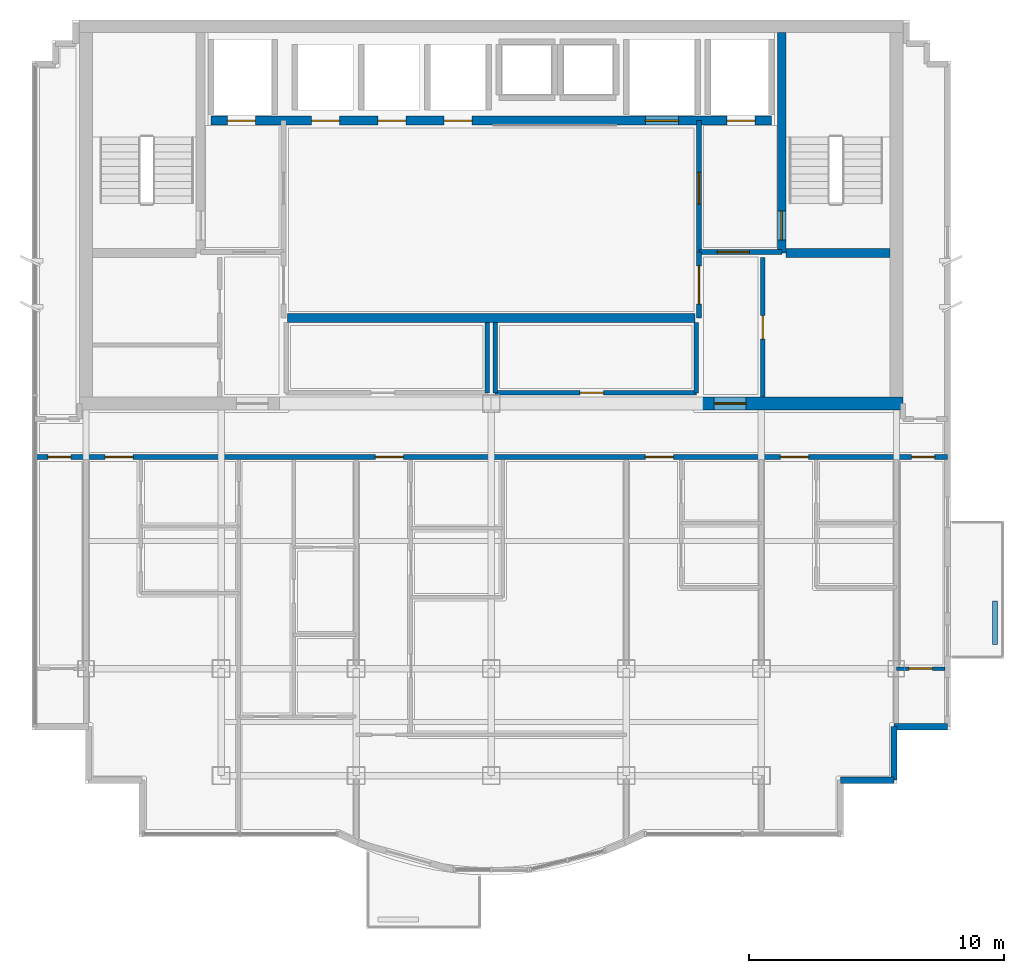
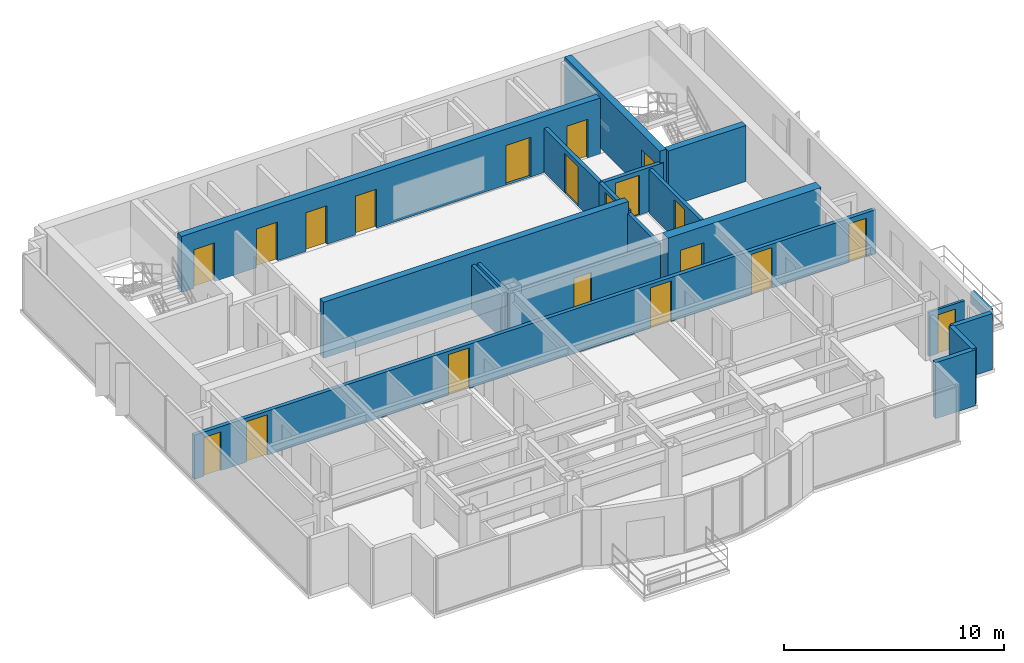
# One storey, part 6 of 9: 20 doors, 19 walls, 20 openings.
"""IFC4 building model written with IfcOpenShell, lengths in metres."""

from ifc_helpers import new_model, si_unit, direction, frame, frame_2d, origin, place, context, subcontext, project, spatial, rectangle, extrude, material, layer, layer_set, type_object, element, fill, save


model = new_model("IFC4")

# Units and contexts
model_context = context("Model", 3, precision=1e-05, world=origin(), true_north=direction((0.0, 1.0)))
body_context = subcontext(model_context, "Body", "Model", "MODEL_VIEW")
ifc_project = project(units=[si_unit("LENGTHUNIT", "METRE"), si_unit("AREAUNIT", "SQUARE_METRE"), si_unit("VOLUMEUNIT", "CUBIC_METRE"), si_unit("PLANEANGLEUNIT", "RADIAN"), si_unit("MASSUNIT", "GRAM", prefix="KILO")], contexts=[model_context])

# Site, building, storey
site_placement = place(None, origin())
site = spatial("IfcSite", under=ifc_project, at=site_placement, CompositionType="ELEMENT")
building_placement = place(site_placement, origin())
building = spatial("IfcBuilding", under=site, at=building_placement, Name="Qianlan Lanfeng Residences", CompositionType="ELEMENT")
storey_placement = place(building_placement, frame((0.0, 0.0, 242.89990234375)))
storey = spatial("IfcBuildingStorey", under=building, at=storey_placement, Name="L67", CompositionType="ELEMENT", Elevation=242.89990234375)

# Wall, opening, door
ifc_material_1 = material(Name="Concrete C49", Category="concrete")
ifc_layer_1 = layer(ifc_material_1, 0.35009765625)
ifc_layer_set_1 = layer_set([ifc_layer_1], Name="Concrete C49")
wall_type_1 = type_object("IfcWallType", Name="CW-RC-350", PredefinedType="SHEAR", material=ifc_layer_set_1)
wall_1_placement = place(storey_placement, frame((37.89990234375, 31.10009765625, 0.0), z_axis=(0.0, 0.0, 1.0), x_axis=(0.0, 1.0, 0.0)))
wall_1 = element("IfcWall", 1, at=wall_1_placement, inside=storey, type_object=wall_type_1, Name="L67 Core Shear Wall ST2W", PredefinedType="SHEAR", context=body_context, shape_type="SweptSolid", body=[
    extrude(rectangle(XDim=8.64990234375, YDim=0.35009765625, at=frame_2d((4.324951171875, 0.0))), origin(), (0.0, 0.0, 1.0), 3.110107421875),
])
opening_1_placement = place(wall_1_placement, frame((0.510009765625, 0.0, 0.0)))
opening_1 = element("IfcOpeningElement", 2, at=opening_1_placement, cuts=wall_1, Name="Opening L67-D08", PredefinedType="OPENING", context=body_context, shape_type="SweptSolid", body=[
    extrude(rectangle(XDim=1.14990234375, YDim=2.199951171875, at=frame_2d((0.574951171875, 1.10009765625))), frame((0.0, 0.18505859375, 0.0), z_axis=(0.0, -1.0, 0.0), x_axis=(1.0, 0.0, 0.0)), (0.0, 0.0, 1.0), 0.3701171875),
])
ifc_material_2 = material(Name="Painted Galvanised Steel Fire Door", Category="steel")
door_type_1 = type_object("IfcDoorType", Name="DT-ST1", OperationType="NOTDEFINED", PredefinedType="DOOR", material=ifc_material_2)
door_1_placement = place(opening_1_placement, origin())
door_1 = element("IfcDoor", 3, at=door_1_placement, inside=storey, type_object=door_type_1, Name="L67 Exit Stair ST-2 Door L67-D08 (DT-ST1)", OperationType="SINGLE_SWING_RIGHT", OverallHeight=2.199951171875, OverallWidth=1.14990234375, PredefinedType="DOOR", context=body_context, shape_type="SweptSolid", body=[
    extrude(rectangle(XDim=1.14990234375, YDim=2.199951171875, at=frame_2d((0.574951171875, 1.10009765625))), frame((0.0, 0.02490234375, 0.0), z_axis=(0.0, -1.0, 0.0), x_axis=(1.0, 0.0, 0.0)), (0.0, 0.0, 1.0), 0.050048828125),
])
fill(opening_1, door_1)

# Wall
wall_2_placement = place(storey_placement, frame((38.074951171875, 31.10009765625, 0.0), z_axis=(0.0, 0.0, 1.0), x_axis=(1.0, 0.0, 0.0)))
element("IfcWall", 4, at=wall_2_placement, inside=storey, type_object=wall_type_1, Name="L67 Core Shear Wall ST2S", PredefinedType="SHEAR", context=body_context, shape_type="SweptSolid", body=[
    extrude(rectangle(XDim=4.074951171875, YDim=0.35009765625, at=frame_2d((2.03759765625, 0.0))), origin(), (0.0, 0.0, 1.0), 3.110107421875),
])

# Wall, openings, doors
wall_3_placement = place(storey_placement, frame((15.5, 36.300048828125, 0.0), z_axis=(0.0, 0.0, 1.0), x_axis=(1.0, 0.0, 0.0)))
wall_3 = element("IfcWall", 5, at=wall_3_placement, inside=storey, type_object=wall_type_1, Name="L67 Core Shear Wall LBN", PredefinedType="SHEAR", context=body_context, shape_type="SweptSolid", body=[
    extrude(rectangle(XDim=22.0, YDim=0.35009765625, at=frame_2d((11.0, 0.0))), origin(), (0.0, 0.0, 1.0), 3.110107421875),
])
opening_2_placement = place(wall_3_placement, frame((0.64990234375, 0.0, 0.0)))
opening_2 = element("IfcOpeningElement", 6, at=opening_2_placement, cuts=wall_3, Name="Opening L67-LD-FFL-1", PredefinedType="OPENING", context=body_context, shape_type="SweptSolid", body=[
    extrude(rectangle(XDim=1.10009765625, YDim=2.14990234375, at=frame_2d((0.550048828125, 1.074951171875))), frame((0.0, 0.18505859375, 0.0), z_axis=(0.0, -1.0, 0.0), x_axis=(1.0, 0.0, 0.0)), (0.0, 0.0, 1.0), 0.3701171875),
])
opening_3_placement = place(wall_3_placement, frame((20.25, 0.0, 0.0)))
opening_3 = element("IfcOpeningElement", 7, at=opening_3_placement, cuts=wall_3, Name="Opening L67-LD-FFL-2", PredefinedType="OPENING", context=body_context, shape_type="SweptSolid", body=[
    extrude(rectangle(XDim=1.10009765625, YDim=2.14990234375, at=frame_2d((0.550048828125, 1.074951171875))), frame((0.0, 0.18505859375, 0.0), z_axis=(0.0, -1.0, 0.0), x_axis=(1.0, 0.0, 0.0)), (0.0, 0.0, 1.0), 0.3701171875),
])
opening_4_placement = place(wall_3_placement, frame((17.050048828125, 0.0, 0.0)))
opening_4 = element("IfcOpeningElement", 8, at=opening_4_placement, cuts=wall_3, Name="Opening L67-LD-SVL-1", PredefinedType="OPENING", context=body_context, shape_type="SweptSolid", body=[
    extrude(rectangle(XDim=1.300048828125, YDim=2.199951171875, at=frame_2d((0.64990234375, 1.10009765625))), frame((0.0, 0.18505859375, 0.0), z_axis=(0.0, -1.0, 0.0), x_axis=(1.0, 0.0, 0.0)), (0.0, 0.0, 1.0), 0.3701171875),
])
opening_5_placement = place(wall_3_placement, frame((3.949951171875, 0.0, 0.0)))
opening_5 = element("IfcOpeningElement", 9, at=opening_5_placement, cuts=wall_3, Name="Opening L67-LD-PL-H1", PredefinedType="OPENING", context=body_context, shape_type="SweptSolid", body=[
    extrude(rectangle(XDim=1.10009765625, YDim=2.14990234375, at=frame_2d((0.550048828125, 1.074951171875))), frame((0.0, 0.18505859375, 0.0), z_axis=(0.0, -1.0, 0.0), x_axis=(1.0, 0.0, 0.0)), (0.0, 0.0, 1.0), 0.3701171875),
])
opening_6_placement = place(wall_3_placement, frame((6.550048828125, 0.0, 0.0)))
opening_6 = element("IfcOpeningElement", 10, at=opening_6_placement, cuts=wall_3, Name="Opening L67-LD-PL-H2", PredefinedType="OPENING", context=body_context, shape_type="SweptSolid", body=[
    extrude(rectangle(XDim=1.10009765625, YDim=2.14990234375, at=frame_2d((0.550048828125, 1.074951171875))), frame((0.0, 0.18505859375, 0.0), z_axis=(0.0, -1.0, 0.0), x_axis=(1.0, 0.0, 0.0)), (0.0, 0.0, 1.0), 0.3701171875),
])
opening_7_placement = place(wall_3_placement, frame((9.14990234375, 0.0, 0.0)))
opening_7 = element("IfcOpeningElement", 11, at=opening_7_placement, cuts=wall_3, Name="Opening L67-LD-PL-H3", PredefinedType="OPENING", context=body_context, shape_type="SweptSolid", body=[
    extrude(rectangle(XDim=1.10009765625, YDim=2.14990234375, at=frame_2d((0.550048828125, 1.074951171875))), frame((0.0, 0.18505859375, 0.0), z_axis=(0.0, -1.0, 0.0), x_axis=(1.0, 0.0, 0.0)), (0.0, 0.0, 1.0), 0.3701171875),
])
ifc_material_3 = material(Name="Brushed Stainless Steel Sliding Lift Door", Category="steel")
door_type_2 = type_object("IfcDoorType", Name="LD-01", OperationType="NOTDEFINED", PredefinedType="DOOR", material=ifc_material_3)
door_2_placement = place(opening_2_placement, frame((1.10009765625, 0.0, 0.0), z_axis=(0.0, 0.0, 1.0), x_axis=(-1.0, 0.0, 0.0)))
door_2 = element("IfcDoor", 12, at=door_2_placement, inside=storey, type_object=door_type_2, Name="L67 Elevator FFL-1 Sliding Landing Door", OperationType="DOUBLE_DOOR_SLIDING", OverallHeight=2.14990234375, OverallWidth=1.10009765625, PredefinedType="DOOR", context=body_context, shape_type="SweptSolid", body=[
    extrude(rectangle(XDim=1.10009765625, YDim=2.14990234375, at=frame_2d((0.550048828125, 1.074951171875))), frame((0.0, 0.02490234375, 0.0), z_axis=(0.0, -1.0, 0.0), x_axis=(1.0, 0.0, 0.0)), (0.0, 0.0, 1.0), 0.050048828125),
])
fill(opening_2, door_2)
door_3_placement = place(opening_3_placement, frame((1.10009765625, 0.0, 0.0), z_axis=(0.0, 0.0, 1.0), x_axis=(-1.0, 0.0, 0.0)))
door_3 = element("IfcDoor", 13, at=door_3_placement, inside=storey, type_object=door_type_2, Name="L67 Elevator FFL-2 Sliding Landing Door", OperationType="DOUBLE_DOOR_SLIDING", OverallHeight=2.14990234375, OverallWidth=1.10009765625, PredefinedType="DOOR", context=body_context, shape_type="SweptSolid", body=[
    extrude(rectangle(XDim=1.10009765625, YDim=2.14990234375, at=frame_2d((0.550048828125, 1.074951171875))), frame((0.0, 0.02490234375, 0.0), z_axis=(0.0, -1.0, 0.0), x_axis=(1.0, 0.0, 0.0)), (0.0, 0.0, 1.0), 0.050048828125),
])
fill(opening_3, door_3)
door_4_placement = place(opening_5_placement, frame((1.10009765625, 0.0, 0.0), z_axis=(0.0, 0.0, 1.0), x_axis=(-1.0, 0.0, 0.0)))
door_4 = element("IfcDoor", 14, at=door_4_placement, inside=storey, type_object=door_type_2, Name="L67 Elevator PL-H1 Sliding Landing Door", OperationType="DOUBLE_DOOR_SLIDING", OverallHeight=2.14990234375, OverallWidth=1.10009765625, PredefinedType="DOOR", context=body_context, shape_type="SweptSolid", body=[
    extrude(rectangle(XDim=1.10009765625, YDim=2.14990234375, at=frame_2d((0.550048828125, 1.074951171875))), frame((0.0, 0.02490234375, 0.0), z_axis=(0.0, -1.0, 0.0), x_axis=(1.0, 0.0, 0.0)), (0.0, 0.0, 1.0), 0.050048828125),
])
fill(opening_5, door_4)
door_5_placement = place(opening_6_placement, frame((1.10009765625, 0.0, 0.0), z_axis=(0.0, 0.0, 1.0), x_axis=(-1.0, 0.0, 0.0)))
door_5 = element("IfcDoor", 15, at=door_5_placement, inside=storey, type_object=door_type_2, Name="L67 Elevator PL-H2 Sliding Landing Door", OperationType="DOUBLE_DOOR_SLIDING", OverallHeight=2.14990234375, OverallWidth=1.10009765625, PredefinedType="DOOR", context=body_context, shape_type="SweptSolid", body=[
    extrude(rectangle(XDim=1.10009765625, YDim=2.14990234375, at=frame_2d((0.550048828125, 1.074951171875))), frame((0.0, 0.02490234375, 0.0), z_axis=(0.0, -1.0, 0.0), x_axis=(1.0, 0.0, 0.0)), (0.0, 0.0, 1.0), 0.050048828125),
])
fill(opening_6, door_5)
door_6_placement = place(opening_7_placement, frame((1.10009765625, 0.0, 0.0), z_axis=(0.0, 0.0, 1.0), x_axis=(-1.0, 0.0, 0.0)))
door_6 = element("IfcDoor", 16, at=door_6_placement, inside=storey, type_object=door_type_2, Name="L67 Elevator PL-H3 Sliding Landing Door", OperationType="DOUBLE_DOOR_SLIDING", OverallHeight=2.14990234375, OverallWidth=1.10009765625, PredefinedType="DOOR", context=body_context, shape_type="SweptSolid", body=[
    extrude(rectangle(XDim=1.10009765625, YDim=2.14990234375, at=frame_2d((0.550048828125, 1.074951171875))), frame((0.0, 0.02490234375, 0.0), z_axis=(0.0, -1.0, 0.0), x_axis=(1.0, 0.0, 0.0)), (0.0, 0.0, 1.0), 0.050048828125),
])
fill(opening_7, door_6)
door_type_3 = type_object("IfcDoorType", Name="LD-02", OperationType="NOTDEFINED", PredefinedType="DOOR", material=ifc_material_3)
door_7_placement = place(opening_4_placement, frame((1.300048828125, 0.0, 0.0), z_axis=(0.0, 0.0, 1.0), x_axis=(-1.0, 0.0, 0.0)))
door_7 = element("IfcDoor", 17, at=door_7_placement, inside=storey, type_object=door_type_3, Name="L67 Elevator SVL-1 Sliding Landing Door", OperationType="DOUBLE_DOOR_SLIDING", OverallHeight=2.199951171875, OverallWidth=1.300048828125, PredefinedType="DOOR", context=body_context, shape_type="SweptSolid", body=[
    extrude(rectangle(XDim=1.300048828125, YDim=2.199951171875, at=frame_2d((0.64990234375, 1.10009765625))), frame((0.0, 0.02490234375, 0.0), z_axis=(0.0, -1.0, 0.0), x_axis=(1.0, 0.0, 0.0)), (0.0, 0.0, 1.0), 0.050048828125),
])
fill(opening_4, door_7)

# Wall
wall_4_placement = place(storey_placement, frame((18.5, 28.550048828125, 0.0), z_axis=(0.0, 0.0, 1.0), x_axis=(1.0, 0.0, 0.0)))
element("IfcWall", 18, at=wall_4_placement, inside=storey, type_object=wall_type_1, Name="L67 Core Shear Wall LBS", PredefinedType="SHEAR", context=body_context, shape_type="SweptSolid", body=[
    extrude(rectangle(XDim=16.0, YDim=0.35009765625, at=frame_2d((8.0, 0.0))), origin(), (0.0, 0.0, 1.0), 3.110107421875),
])

# Wall, opening, door
ifc_material_4 = material(Name="Concrete C70", Category="concrete")
ifc_layer_2 = layer(ifc_material_4, 0.5)
ifc_layer_set_2 = layer_set([ifc_layer_2], Name="Concrete C70")
wall_type_2 = type_object("IfcWallType", Name="CW-RC-500", PredefinedType="SHEAR", material=ifc_layer_set_2)
wall_5_placement = place(storey_placement, frame((34.60009765625, 25.199951171875, 0.0), z_axis=(0.0, 0.0, 1.0), x_axis=(1.0, 0.0, 0.0)))
wall_5 = element("IfcWall", 19, at=wall_5_placement, inside=storey, type_object=wall_type_2, Name="L67 Core Shear Wall SE", PredefinedType="SHEAR", context=body_context, shape_type="SweptSolid", body=[
    extrude(rectangle(XDim=8.0498046875, YDim=0.5, at=frame_2d((4.02490234375, 0.0))), origin(), (0.0, 0.0, 1.0), 3.110107421875),
])
opening_8_placement = place(wall_5_placement, frame((0.64990234375, 0.0, 0.0)))
opening_8 = element("IfcOpeningElement", 20, at=opening_8_placement, cuts=wall_5, Name="Opening L67-D02", PredefinedType="OPENING", context=body_context, shape_type="SweptSolid", body=[
    extrude(rectangle(XDim=1.25, YDim=2.199951171875, at=frame_2d((0.625, 1.10009765625))), frame((0.0, 0.260009765625, 0.0), z_axis=(0.0, -1.0, 0.0), x_axis=(1.0, 0.0, 0.0)), (0.0, 0.0, 1.0), 0.52001953125),
])
door_type_4 = type_object("IfcDoorType", Name="DT-FFL", OperationType="NOTDEFINED", PredefinedType="DOOR", material=ifc_material_2)
door_8_placement = place(opening_8_placement, frame((1.25, 0.0, 0.0), z_axis=(0.0, 0.0, 1.0), x_axis=(-1.0, 0.0, 0.0)))
door_8 = element("IfcDoor", 21, at=door_8_placement, inside=storey, type_object=door_type_4, Name="L67 East Core Lobby Smoke Door L67-D02 (DT-FFL)", OperationType="SINGLE_SWING_LEFT", OverallHeight=2.199951171875, OverallWidth=1.25, PredefinedType="DOOR", context=body_context, shape_type="SweptSolid", body=[
    extrude(rectangle(XDim=1.25, YDim=2.199951171875, at=frame_2d((0.625, 1.10009765625))), frame((0.0, 0.02490234375, 0.0), z_axis=(0.0, -1.0, 0.0), x_axis=(1.0, 0.0, 0.0)), (0.0, 0.0, 1.0), 0.050048828125),
])
fill(opening_8, door_8)

# Walls
ifc_material_5 = material(Name="Concrete C42", Category="concrete")
ifc_layer_3 = layer(ifc_material_5, 0.239990234375)
ifc_layer_set_3 = layer_set([ifc_layer_3], Name="Concrete C42")
wall_type_3 = type_object("IfcWallType", Name="EW-240", PredefinedType="SOLIDWALL", material=ifc_layer_set_3)
for number, where, z_axis, x_axis, name in (
    (22, (40.199951171875, 10.419921875, 0.0), (0.0, 0.0, 1.0), (1.0, 0.0, 0.0), "L67 Exterior Facade Spandrel Wall 10"),
    (23, (42.300048828125, 10.419921875, 0.0), (0.0, 0.0, 1.0), (0.0, 1.0, 0.0), "L67 Exterior Facade Spandrel Wall 11"),
):
    element("IfcWall", number, at=place(storey_placement, frame(where, z_axis=z_axis, x_axis=x_axis)), inside=storey, type_object=wall_type_3, Name=name, PredefinedType="SOLIDWALL", context=body_context, shape_type="SweptSolid", body=[
        extrude(rectangle(XDim=2.10009765625, YDim=0.239990234375, at=frame_2d((1.050048828125, 0.0))), origin(), (0.0, 0.0, 1.0), 3.110107421875),
    ])
wall_6_placement = place(storey_placement, frame((42.300048828125, 12.52001953125, 0.0), z_axis=(0.0, 0.0, 1.0), x_axis=(1.0, 0.0, 0.0)))
element("IfcWall", 24, at=wall_6_placement, inside=storey, type_object=wall_type_3, Name="L67 Exterior Facade Spandrel Wall 12", PredefinedType="SOLIDWALL", context=body_context, shape_type="SweptSolid", body=[
    extrude(rectangle(XDim=2.099853515625, YDim=0.239990234375, at=frame_2d((1.0498046875, 0.0))), origin(), (0.0, 0.0, 1.0), 3.110107421875),
])
ifc_layer_4 = layer(ifc_material_5, 0.199951171875)
ifc_layer_set_4 = layer_set([ifc_layer_4], Name="Concrete C42")
wall_type_4 = type_object("IfcWallType", Name="PL-TREE-200", PredefinedType="PARAPET", material=ifc_layer_set_4)
wall_7_placement = place(storey_placement, frame((46.27001953125, 15.75, 0.0), z_axis=(0.0, 0.0, 1.0), x_axis=(0.0, 1.0, 0.0)))
element("IfcWall", 25, at=wall_7_placement, inside=storey, type_object=wall_type_4, Name="L67 East Tree Planter Curb EB-S", PredefinedType="PARAPET", context=body_context, shape_type="SweptSolid", body=[
    extrude(rectangle(XDim=1.699951171875, YDim=0.199951171875, at=frame_2d((0.85009765625, 0.0))), origin(), (0.0, 0.0, 1.0), 0.650146484375),
])

# Wall, opening, door
ifc_material_6 = material(Name="Moisture-Resistant Gypsum Partition 135 mm")
ifc_layer_5 = layer(ifc_material_6, 0.135009765625)
ifc_layer_set_5 = layer_set([ifc_layer_5], Name="Moisture-Resistant Gypsum Partition 135 mm")
wall_type_5 = type_object("IfcWallType", Name="PW-135", PredefinedType="PARTITIONING", material=ifc_layer_set_5)
wall_8_placement = place(storey_placement, frame((42.39990234375, 14.800048828125, 0.0), z_axis=(0.0, 0.0, 1.0), x_axis=(1.0, 0.0, 0.0)))
wall_8 = element("IfcWall", 26, at=wall_8_placement, inside=storey, type_object=wall_type_5, Name="L67 SEP Mid Partition", PredefinedType="PARTITIONING", context=body_context, shape_type="SweptSolid", body=[
    extrude(rectangle(XDim=1.900146484375, YDim=0.135009765625, at=frame_2d((0.9501953125, 0.0))), origin(), (0.0, 0.0, 1.0), 2.4501953125),
])
opening_9_placement = place(wall_8_placement, frame((0.489990234375, 0.0, 0.0)))
opening_9 = element("IfcOpeningElement", 27, at=opening_9_placement, cuts=wall_8, Name="Opening L67-D37", PredefinedType="OPENING", context=body_context, shape_type="SweptSolid", body=[
    extrude(rectangle(XDim=0.919921875, YDim=2.14990234375, at=frame_2d((0.4599609375, 1.074951171875))), frame((0.0, 0.07763671875, 0.0), z_axis=(0.0, -1.0, 0.0), x_axis=(1.0, 0.0, 0.0)), (0.0, 0.0, 1.0), 0.155029296875),
])
ifc_material_7 = material(Name="Glazed Timber Kitchen/Study Door", Category="wood")
door_type_5 = type_object("IfcDoorType", Name="DT-INT", OperationType="NOTDEFINED", PredefinedType="DOOR", material=ifc_material_7)
door_9_placement = place(opening_9_placement, origin())
door_9 = element("IfcDoor", 28, at=door_9_placement, inside=storey, type_object=door_type_5, Name="L67 SEP Inner Door L67-D37 (DT-INT)", OperationType="SINGLE_SWING_RIGHT", OverallHeight=2.14990234375, OverallWidth=0.919921875, PredefinedType="DOOR", context=body_context, shape_type="SweptSolid", body=[
    extrude(rectangle(XDim=0.919921875, YDim=2.14990234375, at=frame_2d((0.4599609375, 1.074951171875))), frame((0.0, 0.02490234375, 0.0), z_axis=(0.0, -1.0, 0.0), x_axis=(1.0, 0.0, 0.0)), (0.0, 0.0, 1.0), 0.050048828125),
])
fill(opening_9, door_9)

ifc_material_8 = material(Name="Double-Layer Acoustic Gypsum Stud Wall 180 mm")
ifc_layer_6 = layer(ifc_material_8, 0.179931640625)
ifc_layer_set_6 = layer_set([ifc_layer_6], Name="Double-Layer Acoustic Gypsum Stud Wall 180 mm")
wall_type_6 = type_object("IfcWallType", Name="PW-180", PredefinedType="PARTITIONING", material=ifc_layer_set_6)
wall_9_placement = place(storey_placement, frame((37.14990234375, 25.449951171875, 0.0), z_axis=(0.0, 0.0, 1.0), x_axis=(0.0, 1.0, 0.0)))
wall_9 = element("IfcWall", 29, at=wall_9_placement, inside=storey, type_object=wall_type_6, Name="L67 Core East Service Room Wall", PredefinedType="PARTITIONING", context=body_context, shape_type="SweptSolid", body=[
    extrude(rectangle(XDim=5.47509765625, YDim=0.179931640625, at=frame_2d((2.737548828125, 0.0))), origin(), (0.0, 0.0, 1.0), 2.4501953125),
])
opening_10_placement = place(wall_9_placement, frame((2.277099609375, 0.0, 0.0)))
opening_10 = element("IfcOpeningElement", 30, at=opening_10_placement, cuts=wall_9, Name="Opening L67-D11", PredefinedType="OPENING", context=body_context, shape_type="SweptSolid", body=[
    extrude(rectangle(XDim=0.919921875, YDim=2.14990234375, at=frame_2d((0.4599609375, 1.074951171875))), frame((0.0, 0.10009765625, 0.0), z_axis=(0.0, -1.0, 0.0), x_axis=(1.0, 0.0, 0.0)), (0.0, 0.0, 1.0), 0.199951171875),
])
door_10_placement = place(opening_10_placement, origin())
door_10 = element("IfcDoor", 31, at=door_10_placement, inside=storey, type_object=door_type_5, Name="L67 Mail Parcel Closet Door L67-D11 (DT-INT)", OperationType="SINGLE_SWING_LEFT", OverallHeight=2.14990234375, OverallWidth=0.919921875, PredefinedType="DOOR", context=body_context, shape_type="SweptSolid", body=[
    extrude(rectangle(XDim=0.919921875, YDim=2.14990234375, at=frame_2d((0.4599609375, 1.074951171875))), frame((0.0, 0.02490234375, 0.0), z_axis=(0.0, -1.0, 0.0), x_axis=(1.0, 0.0, 0.0)), (0.0, 0.0, 1.0), 0.050048828125),
])
fill(opening_10, door_10)

# Walls
for number, where, z_axis, x_axis, name in (
    (32, (26.35009765625, 25.6201171875, 0.0), (0.0, 0.0, 1.0), (0.0, 1.0, 0.0), "L67 Reclaimed Low-Bank Room East Wall"),
    (33, (26.64990234375, 25.6201171875, 0.0), (0.0, 0.0, 1.0), (0.0, 1.0, 0.0), "L67 Reclaimed Mid-Bank Room West Wall"),
    (34, (34.550048828125, 25.6201171875, 0.0), (0.0, 0.0, 1.0), (0.0, 1.0, 0.0), "L67 Reclaimed Mid-Bank Room East Wall"),
):
    element("IfcWall", number, at=place(storey_placement, frame(where, z_axis=z_axis, x_axis=x_axis)), inside=storey, type_object=wall_type_6, Name=name, PredefinedType="PARTITIONING", context=body_context, shape_type="SweptSolid", body=[
        extrude(rectangle(XDim=2.7548828125, YDim=0.179931640625, at=frame_2d((1.37744140625, 0.0))), origin(), (0.0, 0.0, 1.0), 2.4501953125),
    ])

# Wall, opening, door
wall_10_placement = place(storey_placement, frame((26.64990234375, 25.6201171875, 0.0), z_axis=(0.0, 0.0, 1.0), x_axis=(1.0, 0.0, 0.0)))
wall_10 = element("IfcWall", 35, at=wall_10_placement, inside=storey, type_object=wall_type_6, Name="L67 Reclaimed Mid-Bank Room South Wall", PredefinedType="PARTITIONING", context=body_context, shape_type="SweptSolid", body=[
    extrude(rectangle(XDim=7.900146484375, YDim=0.179931640625, at=frame_2d((3.9501953125, 0.0))), origin(), (0.0, 0.0, 1.0), 2.4501953125),
])
opening_11_placement = place(wall_10_placement, frame((3.340087890625, 0.0, 0.0)))
opening_11 = element("IfcOpeningElement", 36, at=opening_11_placement, cuts=wall_10, Name="Opening L67-D15", PredefinedType="OPENING", context=body_context, shape_type="SweptSolid", body=[
    extrude(rectangle(XDim=0.919921875, YDim=2.14990234375, at=frame_2d((0.4599609375, 1.074951171875))), frame((0.0, 0.10009765625, 0.0), z_axis=(0.0, -1.0, 0.0), x_axis=(1.0, 0.0, 0.0)), (0.0, 0.0, 1.0), 0.199951171875),
])
door_11_placement = place(opening_11_placement, origin())
door_11 = element("IfcDoor", 37, at=door_11_placement, inside=storey, type_object=door_type_5, Name="L67 Reclaimed Mid-Bank Salon Door L67-D15 (DT-INT)", OperationType="SINGLE_SWING_LEFT", OverallHeight=2.14990234375, OverallWidth=0.919921875, PredefinedType="DOOR", context=body_context, shape_type="SweptSolid", body=[
    extrude(rectangle(XDim=0.919921875, YDim=2.14990234375, at=frame_2d((0.4599609375, 1.074951171875))), frame((0.0, 0.02490234375, 0.0), z_axis=(0.0, -1.0, 0.0), x_axis=(1.0, 0.0, 0.0)), (0.0, 0.0, 1.0), 0.050048828125),
])
fill(opening_11, door_11)

ifc_material_9 = material(Name="Autoclaved Aerated Concrete Blockwork 200 mm", Category="masonry")
ifc_layer_7 = layer(ifc_material_9, 0.199951171875)
ifc_layer_set_7 = layer_set([ifc_layer_7], Name="Autoclaved Aerated Concrete Blockwork 200 mm")
wall_type_7 = type_object("IfcWallType", Name="PW-200", PredefinedType="PARTITIONING", material=ifc_layer_set_7)
wall_11_placement = place(storey_placement, frame((34.64990234375, 31.14990234375, 0.0), z_axis=(0.0, 0.0, 1.0), x_axis=(1.0, 0.0, 0.0)))
wall_11 = element("IfcWall", 38, at=wall_11_placement, inside=storey, type_object=wall_type_7, Name="L67 Firefighting Lobby 2 South Wall", PredefinedType="PARTITIONING", context=body_context, shape_type="SweptSolid", body=[
    extrude(rectangle(XDim=3.25, YDim=0.199951171875, at=frame_2d((1.625, 0.0))), origin(), (0.0, 0.0, 1.0), 2.4501953125),
])
opening_12_placement = place(wall_11_placement, frame((0.72509765625, 0.0, 0.0)))
opening_12 = element("IfcOpeningElement", 39, at=opening_12_placement, cuts=wall_11, Name="Opening L67-D05", PredefinedType="OPENING", context=body_context, shape_type="SweptSolid", body=[
    extrude(rectangle(XDim=1.25, YDim=2.199951171875, at=frame_2d((0.625, 1.10009765625))), frame((0.0, 0.10986328125, 0.0), z_axis=(0.0, -1.0, 0.0), x_axis=(1.0, 0.0, 0.0)), (0.0, 0.0, 1.0), 0.219970703125),
])
door_12_placement = place(opening_12_placement, origin())
door_12 = element("IfcDoor", 40, at=door_12_placement, inside=storey, type_object=door_type_4, Name="L67 Firefighting Lobby 2 Entry Door L67-D05 (DT-FFL)", OperationType="SINGLE_SWING_RIGHT", OverallHeight=2.199951171875, OverallWidth=1.25, PredefinedType="DOOR", context=body_context, shape_type="SweptSolid", body=[
    extrude(rectangle(XDim=1.25, YDim=2.199951171875, at=frame_2d((0.625, 1.10009765625))), frame((0.0, 0.02490234375, 0.0), z_axis=(0.0, -1.0, 0.0), x_axis=(1.0, 0.0, 0.0)), (0.0, 0.0, 1.0), 0.050048828125),
])
fill(opening_12, door_12)

wall_12_placement = place(storey_placement, frame((34.64990234375, 31.14990234375, 0.0), z_axis=(0.0, 0.0, 1.0), x_axis=(0.0, 1.0, 0.0)))
wall_12 = element("IfcWall", 41, at=wall_12_placement, inside=storey, type_object=wall_type_7, Name="L67 Firefighting Lobby 2 West Wall", PredefinedType="PARTITIONING", context=body_context, shape_type="SweptSolid", body=[
    extrude(rectangle(XDim=5.150146484375, YDim=0.199951171875, at=frame_2d((2.5751953125, 0.0))), origin(), (0.0, 0.0, 1.0), 2.4501953125),
])
opening_13_placement = place(wall_12_placement, frame((1.875, 0.0, 0.0)))
opening_13 = element("IfcOpeningElement", 42, at=opening_13_placement, cuts=wall_12, Name="Opening L67-D06", PredefinedType="OPENING", context=body_context, shape_type="SweptSolid", body=[
    extrude(rectangle(XDim=1.25, YDim=2.199951171875, at=frame_2d((0.625, 1.10009765625))), frame((0.0, 0.10986328125, 0.0), z_axis=(0.0, -1.0, 0.0), x_axis=(1.0, 0.0, 0.0)), (0.0, 0.0, 1.0), 0.219970703125),
])
door_13_placement = place(opening_13_placement, origin())
door_13 = element("IfcDoor", 43, at=door_13_placement, inside=storey, type_object=door_type_4, Name="L67 Firefighting Lobby 2 Lift Lobby Door L67-D06 (DT-FFL)", OperationType="SINGLE_SWING_RIGHT", OverallHeight=2.199951171875, OverallWidth=1.25, PredefinedType="DOOR", context=body_context, shape_type="SweptSolid", body=[
    extrude(rectangle(XDim=1.25, YDim=2.199951171875, at=frame_2d((0.625, 1.10009765625))), frame((0.0, 0.02490234375, 0.0), z_axis=(0.0, -1.0, 0.0), x_axis=(1.0, 0.0, 0.0)), (0.0, 0.0, 1.0), 0.050048828125),
])
fill(opening_13, door_13)

wall_13_placement = place(storey_placement, frame((34.64990234375, 28.550048828125, 0.0), z_axis=(0.0, 0.0, 1.0), x_axis=(0.0, 1.0, 0.0)))
wall_13 = element("IfcWall", 44, at=wall_13_placement, inside=storey, type_object=wall_type_7, Name="L67 Lift Lobby East Connector Wall", PredefinedType="PARTITIONING", context=body_context, shape_type="SweptSolid", body=[
    extrude(rectangle(XDim=2.599853515625, YDim=0.199951171875, at=frame_2d((1.2998046875, 0.0))), origin(), (0.0, 0.0, 1.0), 2.4501953125),
])
opening_14_placement = place(wall_13_placement, frame((0.550048828125, 0.0, 0.0)))
opening_14 = element("IfcOpeningElement", 45, at=opening_14_placement, cuts=wall_13, Name="Opening L67-D13", PredefinedType="OPENING", context=body_context, shape_type="SweptSolid", body=[
    extrude(rectangle(XDim=1.5, YDim=2.25, at=frame_2d((0.75, 1.125))), frame((0.0, 0.10986328125, 0.0), z_axis=(0.0, -1.0, 0.0), x_axis=(1.0, 0.0, 0.0)), (0.0, 0.0, 1.0), 0.219970703125),
])
ifc_material_10 = material(Name="Timber Veneer Acoustic Fire Door", Category="wood")
door_type_6 = type_object("IfcDoorType", Name="DT-COR1", OperationType="NOTDEFINED", PredefinedType="DOOR", material=ifc_material_10)
door_14_placement = place(opening_14_placement, frame((1.5, 0.0, 0.0), z_axis=(0.0, 0.0, 1.0), x_axis=(-1.0, 0.0, 0.0)))
door_14 = element("IfcDoor", 46, at=door_14_placement, inside=storey, type_object=door_type_6, Name="L67 Lift Lobby East Portal Door L67-D13 (DT-COR1)", OperationType="DOUBLE_DOOR_SINGLE_SWING", OverallHeight=2.25, OverallWidth=1.5, PredefinedType="DOOR", context=body_context, shape_type="SweptSolid", body=[
    extrude(rectangle(XDim=1.5, YDim=2.25, at=frame_2d((0.75, 1.125))), frame((0.0, 0.02490234375, 0.0), z_axis=(0.0, -1.0, 0.0), x_axis=(1.0, 0.0, 0.0)), (0.0, 0.0, 1.0), 0.050048828125),
])
fill(opening_14, door_14)

# Wall, openings, doors
wall_14_placement = place(storey_placement, frame((8.60009765625, 23.10009765625, 0.0), z_axis=(0.0, 0.0, 1.0), x_axis=(1.0, 0.0, 0.0)))
wall_14 = element("IfcWall", 47, at=wall_14_placement, inside=storey, type_object=wall_type_7, Name="L67 Residential Corridor South Fire Wall", PredefinedType="PARTITIONING", context=body_context, shape_type="SweptSolid", body=[
    extrude(rectangle(XDim=35.7998046875, YDim=0.199951171875, at=frame_2d((17.89990234375, 0.0))), origin(), (0.0, 0.0, 1.0), 2.4501953125),
])
opening_15_placement = place(wall_14_placement, frame((2.75, 0.0, 0.0)))
opening_15 = element("IfcOpeningElement", 48, at=opening_15_placement, cuts=wall_14, Name="Opening L67-D16", PredefinedType="OPENING", context=body_context, shape_type="SweptSolid", body=[
    extrude(rectangle(XDim=1.10009765625, YDim=2.25, at=frame_2d((0.550048828125, 1.125))), frame((0.0, 0.10986328125, 0.0), z_axis=(0.0, -1.0, 0.0), x_axis=(1.0, 0.0, 0.0)), (0.0, 0.0, 1.0), 0.219970703125),
])
opening_16_placement = place(wall_14_placement, frame((13.35009765625, 0.0, 0.0)))
opening_16 = element("IfcOpeningElement", 49, at=opening_16_placement, cuts=wall_14, Name="Opening L67-D24", PredefinedType="OPENING", context=body_context, shape_type="SweptSolid", body=[
    extrude(rectangle(XDim=1.10009765625, YDim=2.25, at=frame_2d((0.550048828125, 1.125))), frame((0.0, 0.10986328125, 0.0), z_axis=(0.0, -1.0, 0.0), x_axis=(1.0, 0.0, 0.0)), (0.0, 0.0, 1.0), 0.219970703125),
])
opening_17_placement = place(wall_14_placement, frame((23.949951171875, 0.0, 0.0)))
opening_17 = element("IfcOpeningElement", 50, at=opening_17_placement, cuts=wall_14, Name="Opening L67-D29", PredefinedType="OPENING", context=body_context, shape_type="SweptSolid", body=[
    extrude(rectangle(XDim=1.10009765625, YDim=2.25, at=frame_2d((0.550048828125, 1.125))), frame((0.0, 0.10986328125, 0.0), z_axis=(0.0, -1.0, 0.0), x_axis=(1.0, 0.0, 0.0)), (0.0, 0.0, 1.0), 0.219970703125),
])
opening_18_placement = place(wall_14_placement, frame((29.25, 0.0, 0.0)))
opening_18 = element("IfcOpeningElement", 51, at=opening_18_placement, cuts=wall_14, Name="Opening L67-D32", PredefinedType="OPENING", context=body_context, shape_type="SweptSolid", body=[
    extrude(rectangle(XDim=1.10009765625, YDim=2.25, at=frame_2d((0.550048828125, 1.125))), frame((0.0, 0.10986328125, 0.0), z_axis=(0.0, -1.0, 0.0), x_axis=(1.0, 0.0, 0.0)), (0.0, 0.0, 1.0), 0.219970703125),
])
opening_19_placement = place(wall_14_placement, frame((0.5048828125, 0.0, 0.0)))
opening_19 = element("IfcOpeningElement", 52, at=opening_19_placement, cuts=wall_14, Name="Opening L67-D36", PredefinedType="OPENING", context=body_context, shape_type="SweptSolid", body=[
    extrude(rectangle(XDim=0.89990234375, YDim=2.14990234375, at=frame_2d((0.449951171875, 1.074951171875))), frame((0.0, 0.10986328125, 0.0), z_axis=(0.0, -1.0, 0.0), x_axis=(1.0, 0.0, 0.0)), (0.0, 0.0, 1.0), 0.219970703125),
])
opening_20_placement = place(wall_14_placement, frame((34.39501953125, 0.0, 0.0)))
opening_20 = element("IfcOpeningElement", 53, at=opening_20_placement, cuts=wall_14, Name="Opening L67-D38", PredefinedType="OPENING", context=body_context, shape_type="SweptSolid", body=[
    extrude(rectangle(XDim=0.89990234375, YDim=2.14990234375, at=frame_2d((0.449951171875, 1.074951171875))), frame((0.0, 0.10986328125, 0.0), z_axis=(0.0, -1.0, 0.0), x_axis=(1.0, 0.0, 0.0)), (0.0, 0.0, 1.0), 0.219970703125),
])
ifc_material_11 = material(Name="Solid-Core Oak Veneer Fire Door")
door_type_7 = type_object("IfcDoorType", Name="DT-UNIT", OperationType="NOTDEFINED", PredefinedType="DOOR", material=ifc_material_11)
door_15_placement = place(opening_15_placement, origin())
door_15 = element("IfcDoor", 54, at=door_15_placement, inside=storey, type_object=door_type_7, Name="L67 Apartment U01 Entrance Door L67-D16 (DT-UNIT)", OperationType="SINGLE_SWING_RIGHT", OverallHeight=2.25, OverallWidth=1.10009765625, PredefinedType="DOOR", context=body_context, shape_type="SweptSolid", body=[
    extrude(rectangle(XDim=1.10009765625, YDim=2.25, at=frame_2d((0.550048828125, 1.125))), frame((0.0, 0.02490234375, 0.0), z_axis=(0.0, -1.0, 0.0), x_axis=(1.0, 0.0, 0.0)), (0.0, 0.0, 1.0), 0.050048828125),
])
fill(opening_15, door_15)
door_16_placement = place(opening_16_placement, origin())
door_16 = element("IfcDoor", 55, at=door_16_placement, inside=storey, type_object=door_type_7, Name="L67 Apartment U02 Entrance Door L67-D24 (DT-UNIT)", OperationType="SINGLE_SWING_RIGHT", OverallHeight=2.25, OverallWidth=1.10009765625, PredefinedType="DOOR", context=body_context, shape_type="SweptSolid", body=[
    extrude(rectangle(XDim=1.10009765625, YDim=2.25, at=frame_2d((0.550048828125, 1.125))), frame((0.0, 0.02490234375, 0.0), z_axis=(0.0, -1.0, 0.0), x_axis=(1.0, 0.0, 0.0)), (0.0, 0.0, 1.0), 0.050048828125),
])
fill(opening_16, door_16)
door_17_placement = place(opening_17_placement, frame((1.10009765625, 0.0, 0.0), z_axis=(0.0, 0.0, 1.0), x_axis=(-1.0, 0.0, 0.0)))
door_17 = element("IfcDoor", 56, at=door_17_placement, inside=storey, type_object=door_type_7, Name="L67 Apartment U03 Entrance Door L67-D29 (DT-UNIT)", OperationType="SINGLE_SWING_RIGHT", OverallHeight=2.25, OverallWidth=1.10009765625, PredefinedType="DOOR", context=body_context, shape_type="SweptSolid", body=[
    extrude(rectangle(XDim=1.10009765625, YDim=2.25, at=frame_2d((0.550048828125, 1.125))), frame((0.0, 0.02490234375, 0.0), z_axis=(0.0, -1.0, 0.0), x_axis=(1.0, 0.0, 0.0)), (0.0, 0.0, 1.0), 0.050048828125),
])
fill(opening_17, door_17)
door_18_placement = place(opening_18_placement, origin())
door_18 = element("IfcDoor", 57, at=door_18_placement, inside=storey, type_object=door_type_7, Name="L67 Apartment U04 Entrance Door L67-D32 (DT-UNIT)", OperationType="SINGLE_SWING_RIGHT", OverallHeight=2.25, OverallWidth=1.10009765625, PredefinedType="DOOR", context=body_context, shape_type="SweptSolid", body=[
    extrude(rectangle(XDim=1.10009765625, YDim=2.25, at=frame_2d((0.550048828125, 1.125))), frame((0.0, 0.02490234375, 0.0), z_axis=(0.0, -1.0, 0.0), x_axis=(1.0, 0.0, 0.0)), (0.0, 0.0, 1.0), 0.050048828125),
])
fill(opening_18, door_18)
ifc_material_12 = material(Name="Moisture-Resistant Timber Leaf", Category="wood")
door_type_8 = type_object("IfcDoorType", Name="DT-WC", OperationType="NOTDEFINED", PredefinedType="DOOR", material=ifc_material_12)
door_19_placement = place(opening_19_placement, frame((0.89990234375, 0.0, 0.0), z_axis=(0.0, 0.0, 1.0), x_axis=(-1.0, 0.0, 0.0)))
door_19 = element("IfcDoor", 58, at=door_19_placement, inside=storey, type_object=door_type_8, Name="L67 SWP Corridor Door L67-D36 (DT-WC)", OperationType="SINGLE_SWING_LEFT", OverallHeight=2.14990234375, OverallWidth=0.89990234375, PredefinedType="DOOR", context=body_context, shape_type="SweptSolid", body=[
    extrude(rectangle(XDim=0.89990234375, YDim=2.14990234375, at=frame_2d((0.449951171875, 1.074951171875))), frame((0.0, 0.02490234375, 0.0), z_axis=(0.0, -1.0, 0.0), x_axis=(1.0, 0.0, 0.0)), (0.0, 0.0, 1.0), 0.050048828125),
])
fill(opening_19, door_19)
door_20_placement = place(opening_20_placement, origin())
door_20 = element("IfcDoor", 59, at=door_20_placement, inside=storey, type_object=door_type_8, Name="L67 SEP Corridor Door L67-D38 (DT-WC)", OperationType="SINGLE_SWING_LEFT", OverallHeight=2.14990234375, OverallWidth=0.89990234375, PredefinedType="DOOR", context=body_context, shape_type="SweptSolid", body=[
    extrude(rectangle(XDim=0.89990234375, YDim=2.14990234375, at=frame_2d((0.449951171875, 1.074951171875))), frame((0.0, 0.02490234375, 0.0), z_axis=(0.0, -1.0, 0.0), x_axis=(1.0, 0.0, 0.0)), (0.0, 0.0, 1.0), 0.050048828125),
])
fill(opening_20, door_20)

save(model, "model.ifc")
